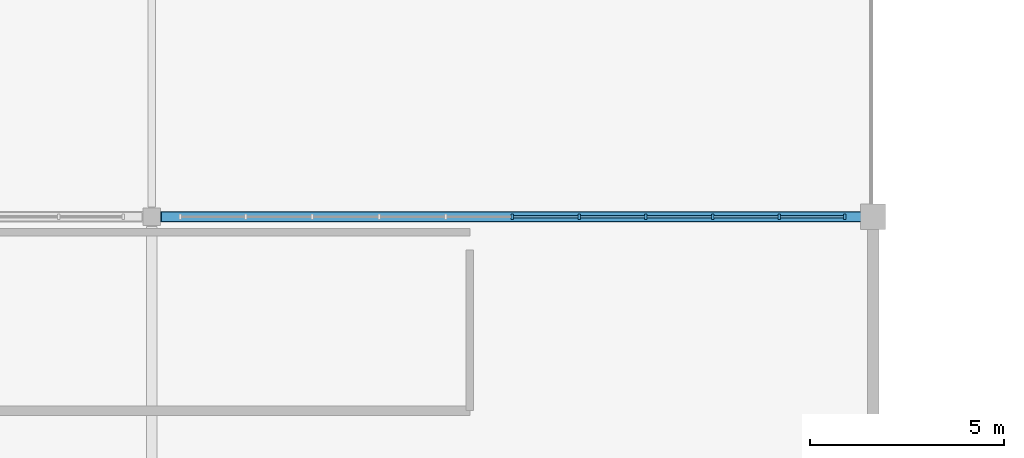
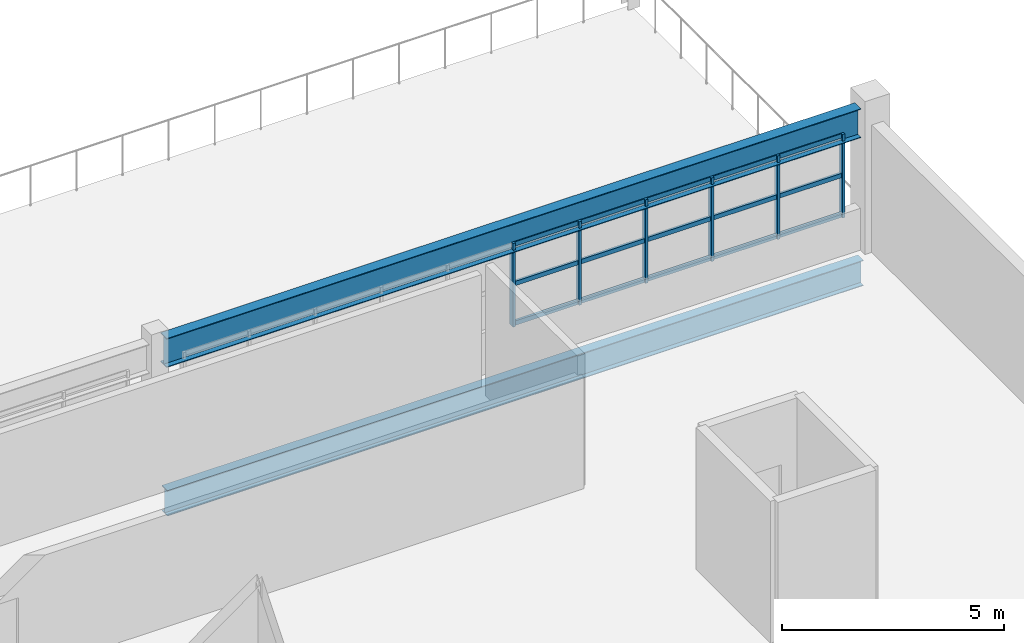
# One storey, part 19 of 92: 21 members, 2 beams, 1 element without a shape of its own.
"""IFC4 building model written with IfcOpenShell, lengths in metres."""

from ifc_helpers import new_model, si_unit, direction, frame, origin, origin_2d, place, context, subcontext, project, spatial, rectangle, i_section, extrude, material, material_profile, profile_set, type_object, element, aggregate, save


model = new_model("IFC4")

# Units and contexts
model_context = context("Model", 3, precision=1e-05, world=origin(), true_north=direction((0.0, 1.0)))
body_context = subcontext(model_context, "Body", "Model", "MODEL_VIEW")
ifc_project = project(units=[si_unit("LENGTHUNIT", "METRE"), si_unit("AREAUNIT", "SQUARE_METRE"), si_unit("VOLUMEUNIT", "CUBIC_METRE"), si_unit("PLANEANGLEUNIT", "RADIAN"), si_unit("MASSUNIT", "GRAM", prefix="KILO")], contexts=[model_context])

# Site, building, storey
site_placement = place(None, origin())
site = spatial("IfcSite", under=ifc_project, at=site_placement, CompositionType="ELEMENT")
building_placement = place(site_placement, origin())
building = spatial("IfcBuilding", under=site, at=building_placement, Name="Solanera Park Tramway Depot", CompositionType="ELEMENT")
storey_placement = place(building_placement, frame((0.0, 0.0, 4.800048828125)))
storey = spatial("IfcBuildingStorey", under=building, at=storey_placement, Name="L01", CompositionType="ELEMENT", Elevation=4.800048828125)

# Curtain wall, members
ifc_material_1 = material(Name="Bronze-anodised thermally broken aluminium curtain wall", Category="aluminium")
curtain_wall_type = type_object("IfcCurtainWallType", Name="Workshop Daylight Ribbon Curtain Wall", PredefinedType="NOTDEFINED", material=ifc_material_1)
curtain_wall_placement = place(storey_placement, origin())
curtain_wall = element("IfcCurtainWall", 1, at=curtain_wall_placement, inside=storey, type_object=curtain_wall_type, Name="L01 Workshop Daylight Ribbon Curtain Wall #151", PredefinedType="NOTDEFINED")
ifc_material_2 = material(Name="Bronze-anodised structural aluminium 6063-T6", Category="aluminium")
ifc_material_profile_1 = material_profile(ifc_material_2, rectangle(XDim=0.06494140625, YDim=0.14990234375, at=origin_2d()), Name="Curtain Wall Mullion 65x150")
ifc_profile_set_1 = profile_set([ifc_material_profile_1], Name="Bronze-anodised structural aluminium 6063-T6")
member_type_1 = type_object("IfcMemberType", Name="Curtain Wall Mullion 65x150", PredefinedType="MULLION", material=ifc_profile_set_1)
member_1_placement = place(storey_placement, frame((84.300048828125, 32.39990234375, 1.0), z_axis=(0.0, 0.0, 1.0), x_axis=(1.0, 0.0, 0.0)))
member_1 = element("IfcMember", 2, at=member_1_placement, type_object=member_type_1, Name="CW-L01-151 Mullion 6", PredefinedType="MULLION", context=body_context, shape_type="SweptSolid", body=[
    extrude(rectangle(XDim=0.06494140625, YDim=0.14990234375, at=origin_2d()), origin(), (0.0, 0.0, 1.0), 2.300048828125),
])
member_2_placement = place(storey_placement, frame((86.02001953125, 32.39990234375, 1.0), z_axis=(0.0, 0.0, 1.0), x_axis=(1.0, 0.0, 0.0)))
member_2 = element("IfcMember", 3, at=member_2_placement, type_object=member_type_1, Name="CW-L01-151 Mullion 7", PredefinedType="MULLION", context=body_context, shape_type="SweptSolid", body=[
    extrude(rectangle(XDim=0.06494140625, YDim=0.14990234375, at=origin_2d()), origin(), (0.0, 0.0, 1.0), 2.300048828125),
])
member_3_placement = place(storey_placement, frame((87.739990234375, 32.39990234375, 1.0), z_axis=(0.0, 0.0, 1.0), x_axis=(1.0, 0.0, 0.0)))
member_3 = element("IfcMember", 4, at=member_3_placement, type_object=member_type_1, Name="CW-L01-151 Mullion 8", PredefinedType="MULLION", context=body_context, shape_type="SweptSolid", body=[
    extrude(rectangle(XDim=0.06494140625, YDim=0.14990234375, at=origin_2d()), origin(), (0.0, 0.0, 1.0), 2.300048828125),
])
member_4_placement = place(storey_placement, frame((89.4599609375, 32.39990234375, 1.0), z_axis=(0.0, 0.0, 1.0), x_axis=(1.0, 0.0, 0.0)))
member_4 = element("IfcMember", 5, at=member_4_placement, type_object=member_type_1, Name="CW-L01-151 Mullion 9", PredefinedType="MULLION", context=body_context, shape_type="SweptSolid", body=[
    extrude(rectangle(XDim=0.06494140625, YDim=0.14990234375, at=origin_2d()), origin(), (0.0, 0.0, 1.0), 2.300048828125),
])
member_5_placement = place(storey_placement, frame((91.179931640625, 32.39990234375, 1.0), z_axis=(0.0, 0.0, 1.0), x_axis=(1.0, 0.0, 0.0)))
member_5 = element("IfcMember", 6, at=member_5_placement, type_object=member_type_1, Name="CW-L01-151 Mullion 10", PredefinedType="MULLION", context=body_context, shape_type="SweptSolid", body=[
    extrude(rectangle(XDim=0.06494140625, YDim=0.14990234375, at=origin_2d()), origin(), (0.0, 0.0, 1.0), 2.300048828125),
])
member_6_placement = place(storey_placement, frame((92.867431640625, 32.39990234375, 1.0), z_axis=(0.0, 0.0, 1.0), x_axis=(1.0, 0.0, 0.0)))
member_6 = element("IfcMember", 7, at=member_6_placement, type_object=member_type_1, Name="CW-L01-151 Mullion 11", PredefinedType="MULLION", context=body_context, shape_type="SweptSolid", body=[
    extrude(rectangle(XDim=0.06494140625, YDim=0.14990234375, at=origin_2d()), origin(), (0.0, 0.0, 1.0), 2.300048828125),
])
ifc_material_3 = material(Name="Bronze-anodised structural aluminium 6063-T6", Category="aluminium")
ifc_material_profile_2 = material_profile(ifc_material_3, rectangle(XDim=0.06494140625, YDim=0.1201171875, at=origin_2d()), Name="Curtain Wall Transom 65x120")
ifc_profile_set_2 = profile_set([ifc_material_profile_2], Name="Bronze-anodised structural aluminium 6063-T6")
member_type_2 = type_object("IfcMemberType", Name="Curtain Wall Transom 65x120", PredefinedType="USERDEFINED", material=ifc_profile_set_2)
member_7_placement = place(storey_placement, frame((84.327880859375, 32.39990234375, 1.06005859375), z_axis=(1.0, 0.0, 0.0), x_axis=(0.0, 1.0, 0.0)))
member_7 = element("IfcMember", 8, at=member_7_placement, type_object=member_type_2, Name="CW-L01-151 Transom R1.C6", ObjectType="TRANSOM", PredefinedType="USERDEFINED", context=body_context, shape_type="SweptSolid", body=[
    extrude(rectangle(XDim=0.06494140625, YDim=0.1201171875, at=origin_2d()), origin(), (0.0, 0.0, 1.0), 1.6640625),
])
member_8_placement = place(storey_placement, frame((86.048095703125, 32.39990234375, 1.06005859375), z_axis=(1.0, 0.0, 0.0), x_axis=(0.0, 1.0, 0.0)))
member_8 = element("IfcMember", 9, at=member_8_placement, type_object=member_type_2, Name="CW-L01-151 Transom R1.C7", ObjectType="TRANSOM", PredefinedType="USERDEFINED", context=body_context, shape_type="SweptSolid", body=[
    extrude(rectangle(XDim=0.06494140625, YDim=0.1201171875, at=origin_2d()), origin(), (0.0, 0.0, 1.0), 1.663818359375),
])
member_9_placement = place(storey_placement, frame((87.76806640625, 32.39990234375, 1.06005859375), z_axis=(1.0, 0.0, 0.0), x_axis=(0.0, 1.0, 0.0)))
member_9 = element("IfcMember", 10, at=member_9_placement, type_object=member_type_2, Name="CW-L01-151 Transom R1.C8", ObjectType="TRANSOM", PredefinedType="USERDEFINED", context=body_context, shape_type="SweptSolid", body=[
    extrude(rectangle(XDim=0.06494140625, YDim=0.1201171875, at=origin_2d()), origin(), (0.0, 0.0, 1.0), 1.663818359375),
])
member_10_placement = place(storey_placement, frame((89.488037109375, 32.39990234375, 1.06005859375), z_axis=(1.0, 0.0, 0.0), x_axis=(0.0, 1.0, 0.0)))
member_10 = element("IfcMember", 11, at=member_10_placement, type_object=member_type_2, Name="CW-L01-151 Transom R1.C9", ObjectType="TRANSOM", PredefinedType="USERDEFINED", context=body_context, shape_type="SweptSolid", body=[
    extrude(rectangle(XDim=0.06494140625, YDim=0.1201171875, at=origin_2d()), origin(), (0.0, 0.0, 1.0), 1.6640625),
])
member_11_placement = place(storey_placement, frame((91.2080078125, 32.39990234375, 1.06005859375), z_axis=(1.0, 0.0, 0.0), x_axis=(0.0, 1.0, 0.0)))
member_11 = element("IfcMember", 12, at=member_11_placement, type_object=member_type_2, Name="CW-L01-151 Transom R1.C10", ObjectType="TRANSOM", PredefinedType="USERDEFINED", context=body_context, shape_type="SweptSolid", body=[
    extrude(rectangle(XDim=0.06494140625, YDim=0.1201171875, at=origin_2d()), origin(), (0.0, 0.0, 1.0), 1.631591796875),
])
member_12_placement = place(storey_placement, frame((84.327880859375, 32.39990234375, 2.14990234375), z_axis=(1.0, 0.0, 0.0), x_axis=(0.0, 1.0, 0.0)))
member_12 = element("IfcMember", 13, at=member_12_placement, type_object=member_type_2, Name="CW-L01-151 Transom R2.C6", ObjectType="TRANSOM", PredefinedType="USERDEFINED", context=body_context, shape_type="SweptSolid", body=[
    extrude(rectangle(XDim=0.06494140625, YDim=0.1201171875, at=origin_2d()), origin(), (0.0, 0.0, 1.0), 1.6640625),
])
member_13_placement = place(storey_placement, frame((86.048095703125, 32.39990234375, 2.14990234375), z_axis=(1.0, 0.0, 0.0), x_axis=(0.0, 1.0, 0.0)))
member_13 = element("IfcMember", 14, at=member_13_placement, type_object=member_type_2, Name="CW-L01-151 Transom R2.C7", ObjectType="TRANSOM", PredefinedType="USERDEFINED", context=body_context, shape_type="SweptSolid", body=[
    extrude(rectangle(XDim=0.06494140625, YDim=0.1201171875, at=origin_2d()), origin(), (0.0, 0.0, 1.0), 1.663818359375),
])
member_14_placement = place(storey_placement, frame((87.76806640625, 32.39990234375, 2.14990234375), z_axis=(1.0, 0.0, 0.0), x_axis=(0.0, 1.0, 0.0)))
member_14 = element("IfcMember", 15, at=member_14_placement, type_object=member_type_2, Name="CW-L01-151 Transom R2.C8", ObjectType="TRANSOM", PredefinedType="USERDEFINED", context=body_context, shape_type="SweptSolid", body=[
    extrude(rectangle(XDim=0.06494140625, YDim=0.1201171875, at=origin_2d()), origin(), (0.0, 0.0, 1.0), 1.663818359375),
])
member_15_placement = place(storey_placement, frame((89.488037109375, 32.39990234375, 2.14990234375), z_axis=(1.0, 0.0, 0.0), x_axis=(0.0, 1.0, 0.0)))
member_15 = element("IfcMember", 16, at=member_15_placement, type_object=member_type_2, Name="CW-L01-151 Transom R2.C9", ObjectType="TRANSOM", PredefinedType="USERDEFINED", context=body_context, shape_type="SweptSolid", body=[
    extrude(rectangle(XDim=0.06494140625, YDim=0.1201171875, at=origin_2d()), origin(), (0.0, 0.0, 1.0), 1.6640625),
])
member_16_placement = place(storey_placement, frame((91.2080078125, 32.39990234375, 2.14990234375), z_axis=(1.0, 0.0, 0.0), x_axis=(0.0, 1.0, 0.0)))
member_16 = element("IfcMember", 17, at=member_16_placement, type_object=member_type_2, Name="CW-L01-151 Transom R2.C10", ObjectType="TRANSOM", PredefinedType="USERDEFINED", context=body_context, shape_type="SweptSolid", body=[
    extrude(rectangle(XDim=0.06494140625, YDim=0.1201171875, at=origin_2d()), origin(), (0.0, 0.0, 1.0), 1.631591796875),
])
member_17_placement = place(storey_placement, frame((84.327880859375, 32.39990234375, 3.239990234375), z_axis=(1.0, 0.0, 0.0), x_axis=(0.0, 1.0, 0.0)))
member_17 = element("IfcMember", 18, at=member_17_placement, type_object=member_type_2, Name="CW-L01-151 Transom R3.C6", ObjectType="TRANSOM", PredefinedType="USERDEFINED", context=body_context, shape_type="SweptSolid", body=[
    extrude(rectangle(XDim=0.06494140625, YDim=0.1201171875, at=origin_2d()), origin(), (0.0, 0.0, 1.0), 1.6640625),
])
member_18_placement = place(storey_placement, frame((86.048095703125, 32.39990234375, 3.239990234375), z_axis=(1.0, 0.0, 0.0), x_axis=(0.0, 1.0, 0.0)))
member_18 = element("IfcMember", 19, at=member_18_placement, type_object=member_type_2, Name="CW-L01-151 Transom R3.C7", ObjectType="TRANSOM", PredefinedType="USERDEFINED", context=body_context, shape_type="SweptSolid", body=[
    extrude(rectangle(XDim=0.06494140625, YDim=0.1201171875, at=origin_2d()), origin(), (0.0, 0.0, 1.0), 1.663818359375),
])
member_19_placement = place(storey_placement, frame((87.76806640625, 32.39990234375, 3.239990234375), z_axis=(1.0, 0.0, 0.0), x_axis=(0.0, 1.0, 0.0)))
member_19 = element("IfcMember", 20, at=member_19_placement, type_object=member_type_2, Name="CW-L01-151 Transom R3.C8", ObjectType="TRANSOM", PredefinedType="USERDEFINED", context=body_context, shape_type="SweptSolid", body=[
    extrude(rectangle(XDim=0.06494140625, YDim=0.1201171875, at=origin_2d()), origin(), (0.0, 0.0, 1.0), 1.663818359375),
])
member_20_placement = place(storey_placement, frame((89.488037109375, 32.39990234375, 3.239990234375), z_axis=(1.0, 0.0, 0.0), x_axis=(0.0, 1.0, 0.0)))
member_20 = element("IfcMember", 21, at=member_20_placement, type_object=member_type_2, Name="CW-L01-151 Transom R3.C9", ObjectType="TRANSOM", PredefinedType="USERDEFINED", context=body_context, shape_type="SweptSolid", body=[
    extrude(rectangle(XDim=0.06494140625, YDim=0.1201171875, at=origin_2d()), origin(), (0.0, 0.0, 1.0), 1.6640625),
])
member_21_placement = place(storey_placement, frame((91.2080078125, 32.39990234375, 3.239990234375), z_axis=(1.0, 0.0, 0.0), x_axis=(0.0, 1.0, 0.0)))
member_21 = element("IfcMember", 22, at=member_21_placement, type_object=member_type_2, Name="CW-L01-151 Transom R3.C10", ObjectType="TRANSOM", PredefinedType="USERDEFINED", context=body_context, shape_type="SweptSolid", body=[
    extrude(rectangle(XDim=0.06494140625, YDim=0.1201171875, at=origin_2d()), origin(), (0.0, 0.0, 1.0), 1.631591796875),
])
aggregate(curtain_wall, [member_1, member_2, member_3, member_4, member_5, member_6, member_7, member_8, member_9, member_10, member_11, member_12, member_13, member_14, member_15, member_16, member_17, member_18, member_19, member_20, member_21])

# Beams
ifc_material_4 = material(Name="Steel AS/NZS 3679.1 Grade 350", Category="steel")
ifc_material_profile_3 = material_profile(ifc_material_4, i_section(OverallWidth=0.25, OverallDepth=0.699951171875, WebThickness=0.010009765625, FlangeThickness=0.02001953125, at=origin_2d()), Name="700WB130")
ifc_profile_set_3 = profile_set([ifc_material_profile_3], Name="Steel AS/NZS 3679.1 Grade 350")
beam_type_1 = type_object("IfcBeamType", Name="Steel Beam 700WB130", PredefinedType="BEAM", material=ifc_profile_set_3)
beam_1_placement = place(storey_placement, frame((75.25, 32.39990234375, -0.654052734375), z_axis=(1.0, 0.0, 0.0), x_axis=(0.0, 1.0, 0.0)))
element("IfcBeam", 23, at=beam_1_placement, inside=storey, type_object=beam_type_1, Name="L01 Primary X-Girder 700WB130 #0019", PredefinedType="BEAM", context=body_context, shape_type="SweptSolid", body=[
    extrude(i_section(OverallWidth=0.25, OverallDepth=0.699951171875, WebThickness=0.010009765625, FlangeThickness=0.02001953125, at=origin_2d()), origin(), (0.0, 0.0, 1.0), 18.10009765625),
])
ifc_material_5 = material(Name="Steel AS/NZS 3679.1 Grade 350", Category="steel")
ifc_material_profile_4 = material_profile(ifc_material_5, i_section(OverallWidth=0.27490234375, OverallDepth=0.800048828125, WebThickness=0.010009765625, FlangeThickness=0.02001953125, at=origin_2d()), Name="800WB146")
ifc_profile_set_4 = profile_set([ifc_material_profile_4], Name="Steel AS/NZS 3679.1 Grade 350")
beam_type_2 = type_object("IfcBeamType", Name="Steel Beam 800WB146", PredefinedType="BEAM", material=ifc_profile_set_4)
beam_2_placement = place(storey_placement, frame((75.22509765625, 32.39990234375, 3.494873046875), z_axis=(1.0, 0.0, 0.0), x_axis=(0.0, 1.0, 0.0)))
element("IfcBeam", 24, at=beam_2_placement, inside=storey, type_object=beam_type_2, Name="Bridge Crane Runway Girder 800WB146 #0411", PredefinedType="BEAM", context=body_context, shape_type="SweptSolid", body=[
    extrude(i_section(OverallWidth=0.27490234375, OverallDepth=0.800048828125, WebThickness=0.010009765625, FlangeThickness=0.02001953125, at=origin_2d()), origin(), (0.0, 0.0, 1.0), 18.0498046875),
])

save(model, "model.ifc")
